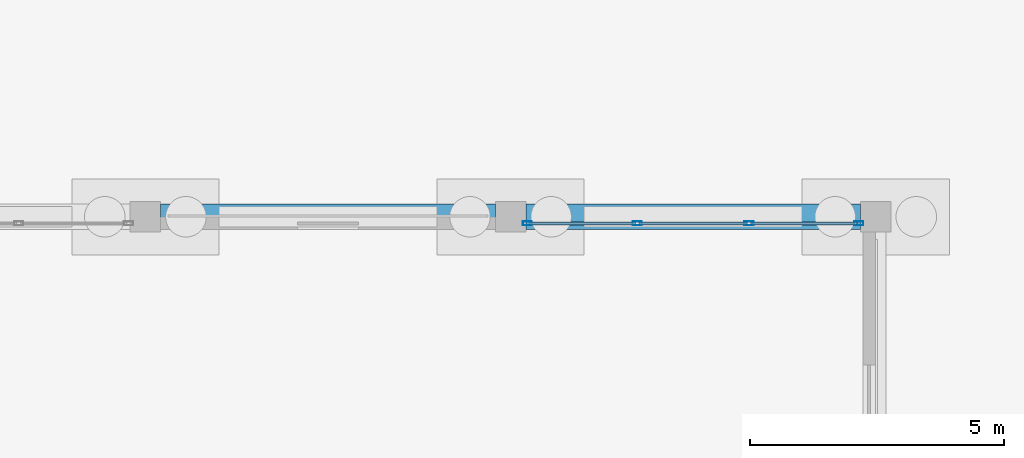
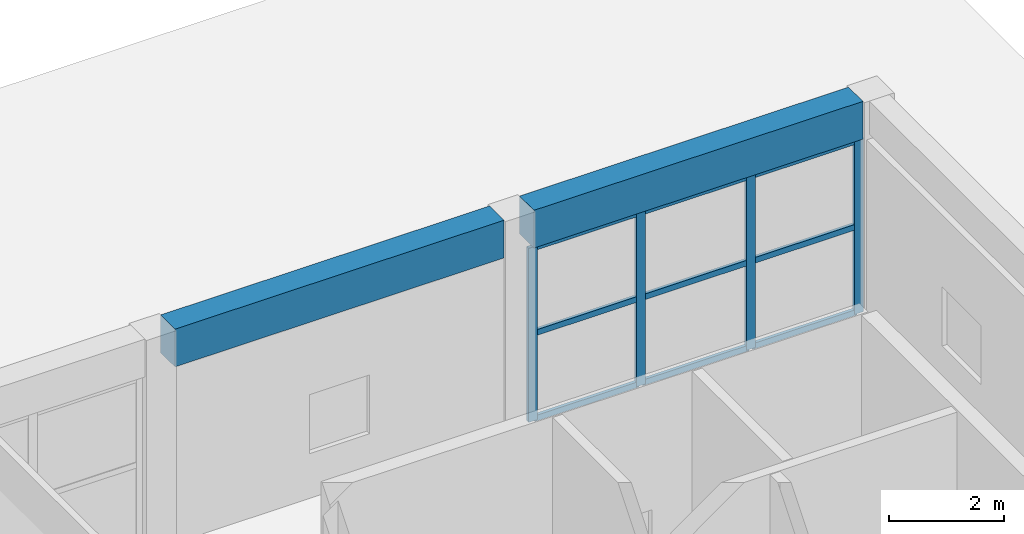
# One storey, part 97 of 155: 13 members, 2 beams, 1 element without a shape of its own.
"""IFC4 building model written with IfcOpenShell, lengths in metres."""

from ifc_helpers import new_model, si_unit, direction, frame, origin, origin_2d, place, context, subcontext, project, spatial, rectangle, hollow_rectangle, extrude, material, material_profile, profile_set, type_object, element, aggregate, save


model = new_model("IFC4")

# Units and contexts
model_context = context("Model", 3, precision=1e-05, world=origin(), true_north=direction((0.0, 1.0)))
body_context = subcontext(model_context, "Body", "Model", "MODEL_VIEW")
ifc_project = project(units=[si_unit("LENGTHUNIT", "METRE"), si_unit("AREAUNIT", "SQUARE_METRE"), si_unit("VOLUMEUNIT", "CUBIC_METRE"), si_unit("PLANEANGLEUNIT", "RADIAN"), si_unit("MASSUNIT", "GRAM", prefix="KILO")], contexts=[model_context])

# Site, building, storey
site_placement = place(None, origin())
site = spatial("IfcSite", under=ifc_project, at=site_placement, CompositionType="ELEMENT")
building_placement = place(site_placement, origin())
building = spatial("IfcBuilding", under=site, at=building_placement, Name="Bramvelor Terrace Health Centre", CompositionType="ELEMENT")
storey_placement = place(building_placement, origin())
storey = spatial("IfcBuildingStorey", under=building, at=storey_placement, Name="L01", CompositionType="ELEMENT", Elevation=0.0)

# Beams
ifc_material_1 = material(Name="Concrete C40/50", Category="concrete")
ifc_material_profile_1 = material_profile(ifc_material_1, rectangle(XDim=0.5, YDim=0.800048828125, at=origin_2d()), Name="RC 500x800")
ifc_profile_set_1 = profile_set([ifc_material_profile_1], Name="Concrete C40/50")
beam_type = type_object("IfcBeamType", Name="BM-RC-G800", PredefinedType="BEAM", material=ifc_profile_set_1)
for number, where, z_axis, x_axis, name in (
    (1, (79.5, 100.800048828125, 4.1298828125), (1.0, 0.0, 0.0), (0.0, 1.0, 0.0), "L01 Floor Girder"),
    (2, (86.699951171875, 100.800048828125, 4.1298828125), (1.0, 0.0, 0.0), (0.0, 1.0, 0.0), "L01 Floor Girder"),
):
    element("IfcBeam", number, at=place(storey_placement, frame(where, z_axis=z_axis, x_axis=x_axis)), inside=storey, type_object=beam_type, Name=name, PredefinedType="BEAM", context=body_context, shape_type="SweptSolid", body=[
        extrude(rectangle(XDim=0.5, YDim=0.800048828125, at=origin_2d()), origin(), (0.0, 0.0, 1.0), 6.60009765625),
    ])

# Curtain wall, members
ifc_material_2 = material(Name="Anodized aluminium and double low-E glass", Category="aluminium")
curtain_wall_type = type_object("IfcCurtainWallType", Name="CW-SYS-02", PredefinedType="NOTDEFINED", material=ifc_material_2)
curtain_wall_placement = place(storey_placement, origin())
curtain_wall = element("IfcCurtainWall", 3, at=curtain_wall_placement, inside=storey, type_object=curtain_wall_type, Name="L01 Unitized Curtain Wall 24", PredefinedType="NOTDEFINED")
ifc_material_3 = material(Name="Anodized aluminium 6063-T6", Category="aluminium")
ifc_material_profile_2 = material_profile(ifc_material_3, hollow_rectangle(XDim=0.074951171875, YDim=0.179931640625, WallThickness=0.00341796875, at=origin_2d()), Name="ALU-MUL 75x180x3.5")
ifc_profile_set_2 = profile_set([ifc_material_profile_2], Name="Anodized aluminium 6063-T6")
member_type_1 = type_object("IfcMemberType", Name="CW-MUL-65x180", PredefinedType="MULLION", material=ifc_profile_set_2)
member_1_placement = place(storey_placement, frame((86.732421875, 100.669921875, 0.0), z_axis=(0.0, 0.0, 1.0), x_axis=(0.0, 1.0, 0.0)))
member_1 = element("IfcMember", 4, at=member_1_placement, type_object=member_type_1, Name="CW-02 mullion 1", PredefinedType="MULLION", context=body_context, shape_type="SweptSolid", body=[
    extrude(hollow_rectangle(XDim=0.074951171875, YDim=0.179931640625, WallThickness=0.00341796875, at=origin_2d()), origin(), (0.0, 0.0, 1.0), 3.68994140625),
])
member_2_placement = place(storey_placement, frame((88.8984375, 100.669921875, 0.0), z_axis=(0.0, 0.0, 1.0), x_axis=(0.0, 1.0, 0.0)))
member_2 = element("IfcMember", 5, at=member_2_placement, type_object=member_type_1, Name="CW-02 mullion 2", PredefinedType="MULLION", context=body_context, shape_type="SweptSolid", body=[
    extrude(hollow_rectangle(XDim=0.074951171875, YDim=0.179931640625, WallThickness=0.00341796875, at=origin_2d()), origin(), (0.0, 0.0, 1.0), 3.68994140625),
])
member_3_placement = place(storey_placement, frame((91.1015625, 100.669921875, 0.0), z_axis=(0.0, 0.0, 1.0), x_axis=(0.0, 1.0, 0.0)))
member_3 = element("IfcMember", 6, at=member_3_placement, type_object=member_type_1, Name="CW-02 mullion 3", PredefinedType="MULLION", context=body_context, shape_type="SweptSolid", body=[
    extrude(hollow_rectangle(XDim=0.074951171875, YDim=0.179931640625, WallThickness=0.00341796875, at=origin_2d()), origin(), (0.0, 0.0, 1.0), 3.68994140625),
])
member_4_placement = place(storey_placement, frame((93.267578125, 100.669921875, 0.0), z_axis=(0.0, 0.0, 1.0), x_axis=(0.0, 1.0, 0.0)))
member_4 = element("IfcMember", 7, at=member_4_placement, type_object=member_type_1, Name="CW-02 mullion 4", PredefinedType="MULLION", context=body_context, shape_type="SweptSolid", body=[
    extrude(hollow_rectangle(XDim=0.074951171875, YDim=0.179931640625, WallThickness=0.00341796875, at=origin_2d()), origin(), (0.0, 0.0, 1.0), 3.68994140625),
])
ifc_material_4 = material(Name="Anodized aluminium 6063-T6", Category="aluminium")
ifc_material_profile_3 = material_profile(ifc_material_4, hollow_rectangle(XDim=0.06494140625, YDim=0.1201171875, WallThickness=0.0029296875, at=origin_2d()), Name="ALU-TRN 65x120x3.0")
ifc_profile_set_3 = profile_set([ifc_material_profile_3], Name="Anodized aluminium 6063-T6")
member_type_2 = type_object("IfcMemberType", Name="CW-TRN-65x150", PredefinedType="USERDEFINED", material=ifc_profile_set_3)
member_5_placement = place(storey_placement, frame((86.77001953125, 100.669921875, 0.032470703125), z_axis=(1.0, 0.0, 0.0), x_axis=(0.0, 1.0, 0.0)))
member_5 = element("IfcMember", 8, at=member_5_placement, type_object=member_type_2, Name="CW-02 transom 1.1", ObjectType="TRANSOM", PredefinedType="USERDEFINED", context=body_context, shape_type="SweptSolid", body=[
    extrude(hollow_rectangle(XDim=0.06494140625, YDim=0.1201171875, WallThickness=0.0029296875, at=origin_2d()), origin(), (0.0, 0.0, 1.0), 2.0908203125),
])
member_6_placement = place(storey_placement, frame((86.77001953125, 100.669921875, 1.844970703125), z_axis=(1.0, 0.0, 0.0), x_axis=(0.0, 1.0, 0.0)))
member_6 = element("IfcMember", 9, at=member_6_placement, type_object=member_type_2, Name="CW-02 transom 1.2", ObjectType="TRANSOM", PredefinedType="USERDEFINED", context=body_context, shape_type="SweptSolid", body=[
    extrude(hollow_rectangle(XDim=0.06494140625, YDim=0.1201171875, WallThickness=0.0029296875, at=origin_2d()), origin(), (0.0, 0.0, 1.0), 2.0908203125),
])
member_7_placement = place(storey_placement, frame((86.77001953125, 100.669921875, 3.657470703125), z_axis=(1.0, 0.0, 0.0), x_axis=(0.0, 1.0, 0.0)))
member_7 = element("IfcMember", 10, at=member_7_placement, type_object=member_type_2, Name="CW-02 transom 1.3", ObjectType="TRANSOM", PredefinedType="USERDEFINED", context=body_context, shape_type="SweptSolid", body=[
    extrude(hollow_rectangle(XDim=0.06494140625, YDim=0.1201171875, WallThickness=0.0029296875, at=origin_2d()), origin(), (0.0, 0.0, 1.0), 2.0908203125),
])
member_8_placement = place(storey_placement, frame((88.935791015625, 100.669921875, 0.032470703125), z_axis=(1.0, 0.0, 0.0), x_axis=(0.0, 1.0, 0.0)))
member_8 = element("IfcMember", 11, at=member_8_placement, type_object=member_type_2, Name="CW-02 transom 2.1", ObjectType="TRANSOM", PredefinedType="USERDEFINED", context=body_context, shape_type="SweptSolid", body=[
    extrude(hollow_rectangle(XDim=0.06494140625, YDim=0.1201171875, WallThickness=0.0029296875, at=origin_2d()), origin(), (0.0, 0.0, 1.0), 2.12841796875),
])
member_9_placement = place(storey_placement, frame((88.935791015625, 100.669921875, 1.844970703125), z_axis=(1.0, 0.0, 0.0), x_axis=(0.0, 1.0, 0.0)))
member_9 = element("IfcMember", 12, at=member_9_placement, type_object=member_type_2, Name="CW-02 transom 2.2", ObjectType="TRANSOM", PredefinedType="USERDEFINED", context=body_context, shape_type="SweptSolid", body=[
    extrude(hollow_rectangle(XDim=0.06494140625, YDim=0.1201171875, WallThickness=0.0029296875, at=origin_2d()), origin(), (0.0, 0.0, 1.0), 2.12841796875),
])
member_10_placement = place(storey_placement, frame((88.935791015625, 100.669921875, 3.657470703125), z_axis=(1.0, 0.0, 0.0), x_axis=(0.0, 1.0, 0.0)))
member_10 = element("IfcMember", 13, at=member_10_placement, type_object=member_type_2, Name="CW-02 transom 2.3", ObjectType="TRANSOM", PredefinedType="USERDEFINED", context=body_context, shape_type="SweptSolid", body=[
    extrude(hollow_rectangle(XDim=0.06494140625, YDim=0.1201171875, WallThickness=0.0029296875, at=origin_2d()), origin(), (0.0, 0.0, 1.0), 2.12841796875),
])
member_11_placement = place(storey_placement, frame((91.13916015625, 100.669921875, 0.032470703125), z_axis=(1.0, 0.0, 0.0), x_axis=(0.0, 1.0, 0.0)))
member_11 = element("IfcMember", 14, at=member_11_placement, type_object=member_type_2, Name="CW-02 transom 3.1", ObjectType="TRANSOM", PredefinedType="USERDEFINED", context=body_context, shape_type="SweptSolid", body=[
    extrude(hollow_rectangle(XDim=0.06494140625, YDim=0.1201171875, WallThickness=0.0029296875, at=origin_2d()), origin(), (0.0, 0.0, 1.0), 2.0908203125),
])
member_12_placement = place(storey_placement, frame((91.13916015625, 100.669921875, 1.844970703125), z_axis=(1.0, 0.0, 0.0), x_axis=(0.0, 1.0, 0.0)))
member_12 = element("IfcMember", 15, at=member_12_placement, type_object=member_type_2, Name="CW-02 transom 3.2", ObjectType="TRANSOM", PredefinedType="USERDEFINED", context=body_context, shape_type="SweptSolid", body=[
    extrude(hollow_rectangle(XDim=0.06494140625, YDim=0.1201171875, WallThickness=0.0029296875, at=origin_2d()), origin(), (0.0, 0.0, 1.0), 2.0908203125),
])
member_13_placement = place(storey_placement, frame((91.13916015625, 100.669921875, 3.657470703125), z_axis=(1.0, 0.0, 0.0), x_axis=(0.0, 1.0, 0.0)))
member_13 = element("IfcMember", 16, at=member_13_placement, type_object=member_type_2, Name="CW-02 transom 3.3", ObjectType="TRANSOM", PredefinedType="USERDEFINED", context=body_context, shape_type="SweptSolid", body=[
    extrude(hollow_rectangle(XDim=0.06494140625, YDim=0.1201171875, WallThickness=0.0029296875, at=origin_2d()), origin(), (0.0, 0.0, 1.0), 2.0908203125),
])
aggregate(curtain_wall, [member_1, member_2, member_3, member_4, member_5, member_6, member_7, member_8, member_9, member_10, member_11, member_12, member_13])

save(model, "model.ifc")
